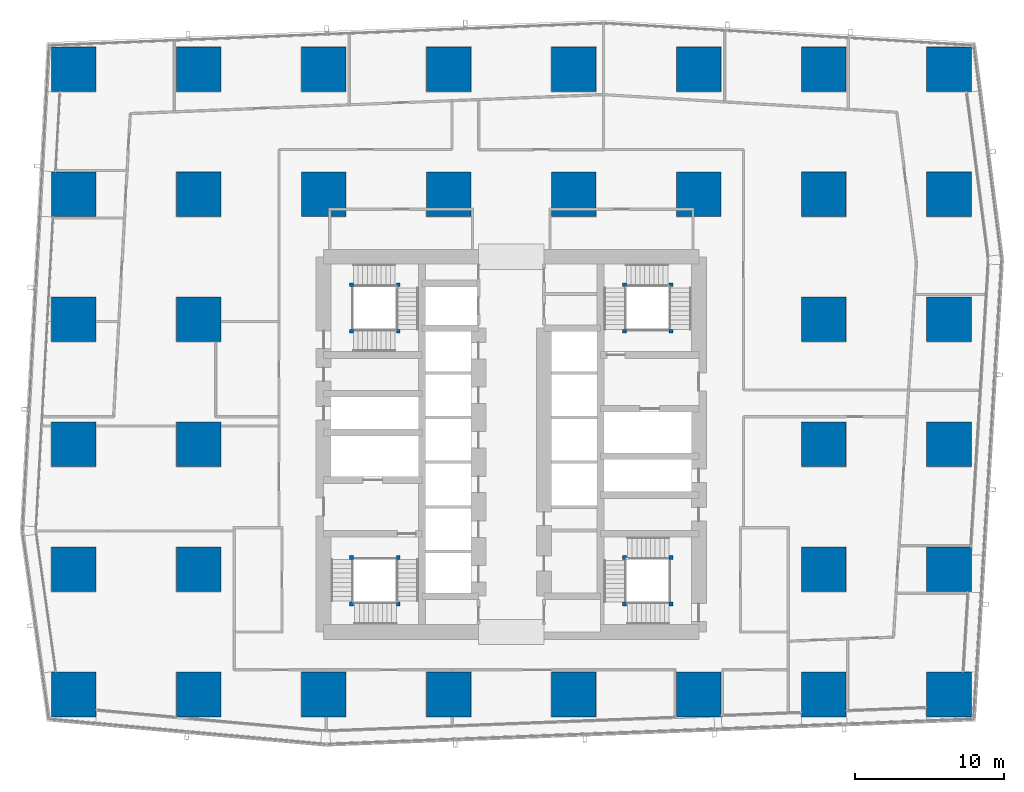
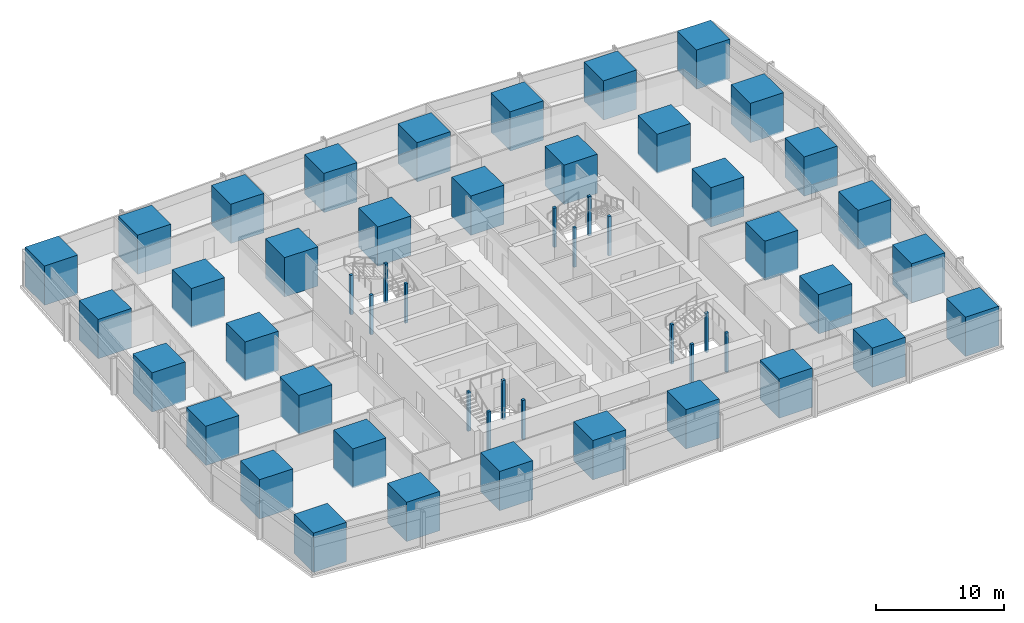
# One storey, part 1 of 39: 52 columns.
"""IFC4 building model written with IfcOpenShell, lengths in metres."""

from ifc_helpers import new_model, si_unit, direction, frame, origin, origin_2d, place, context, subcontext, project, spatial, rectangle, extrude, material, material_profile, profile_set, type_object, element, save


model = new_model("IFC4")

# Units and contexts
model_context = context("Model", 3, precision=1e-05, world=origin(), true_north=direction((0.0, 1.0)))
body_context = subcontext(model_context, "Body", "Model", "MODEL_VIEW")
ifc_project = project(units=[si_unit("LENGTHUNIT", "METRE"), si_unit("AREAUNIT", "SQUARE_METRE"), si_unit("VOLUMEUNIT", "CUBIC_METRE"), si_unit("PLANEANGLEUNIT", "RADIAN"), si_unit("MASSUNIT", "GRAM", prefix="KILO")], contexts=[model_context])

# Site, building, storey
site_placement = place(None, origin())
site = spatial("IfcSite", under=ifc_project, at=site_placement, CompositionType="ELEMENT")
building_placement = place(site_placement, origin())
building = spatial("IfcBuilding", under=site, at=building_placement, Name="Rekha Terrace Tower", CompositionType="ELEMENT")
storey_placement = place(building_placement, frame((0.0, 0.0, 155.300048828125)))
storey = spatial("IfcBuildingStorey", under=building, at=storey_placement, Name="L39", CompositionType="ELEMENT", Elevation=155.300048828125)

# Columns
ifc_material_1 = material(Name="Concrete M70", Category="concrete")
ifc_material_profile_1 = material_profile(ifc_material_1, rectangle(XDim=3.0, YDim=3.0, at=origin_2d()), Name="RC 3000x3000")
ifc_profile_set_1 = profile_set([ifc_material_profile_1], Name="Concrete M70")
column_type_1 = type_object("IfcColumnType", Name="C3T 3000x3000 column", PredefinedType="COLUMN", material=ifc_profile_set_1)
for number, where, z_axis, x_axis, name in (
    (1, (8.39990234375, 16.800048828125, 0.0), (0.0, 0.0, 1.0), (1.0, 0.0, 0.0), "Column C3T 2/C L39"),
    (2, (8.39990234375, 25.199951171875, 0.0), (0.0, 0.0, 1.0), (1.0, 0.0, 0.0), "Column C3T 2/D L39"),
    (3, (8.39990234375, 33.60009765625, 0.0), (0.0, 0.0, 1.0), (1.0, 0.0, 0.0), "Column C3T 2/E L39"),
    (4, (8.39990234375, 42.0, 0.0), (0.0, 0.0, 1.0), (1.0, 0.0, 0.0), "Column C3T 2/F L39"),
    (5, (8.39990234375, 50.39990234375, 0.0), (0.0, 0.0, 1.0), (1.0, 0.0, 0.0), "Column C3T 2/G L39"),
    (6, (8.39990234375, 58.800048828125, 0.0), (0.0, 0.0, 1.0), (1.0, 0.0, 0.0), "Column C3T 2/H L39"),
    (7, (16.800048828125, 16.800048828125, 0.0), (0.0, 0.0, 1.0), (1.0, 0.0, 0.0), "Column C3T 3/C L39"),
    (8, (16.800048828125, 25.199951171875, 0.0), (0.0, 0.0, 1.0), (1.0, 0.0, 0.0), "Column C3T 3/D L39"),
    (9, (16.800048828125, 33.60009765625, 0.0), (0.0, 0.0, 1.0), (1.0, 0.0, 0.0), "Column C3T 3/E L39"),
    (10, (16.800048828125, 42.0, 0.0), (0.0, 0.0, 1.0), (1.0, 0.0, 0.0), "Column C3T 3/F L39"),
    (11, (16.800048828125, 50.39990234375, 0.0), (0.0, 0.0, 1.0), (1.0, 0.0, 0.0), "Column C3T 3/G L39"),
    (12, (16.800048828125, 58.800048828125, 0.0), (0.0, 0.0, 1.0), (1.0, 0.0, 0.0), "Column C3T 3/H L39"),
    (13, (25.199951171875, 16.800048828125, 0.0), (0.0, 0.0, 1.0), (1.0, 0.0, 0.0), "Column C3T 4/C L39"),
    (14, (25.199951171875, 50.39990234375, 0.0), (0.0, 0.0, 1.0), (1.0, 0.0, 0.0), "Column C3T 4/G L39"),
    (15, (25.199951171875, 58.800048828125, 0.0), (0.0, 0.0, 1.0), (1.0, 0.0, 0.0), "Column C3T 4/H L39"),
    (16, (33.60009765625, 16.800048828125, 0.0), (0.0, 0.0, 1.0), (1.0, 0.0, 0.0), "Column C3T 5/C L39"),
    (17, (33.60009765625, 50.39990234375, 0.0), (0.0, 0.0, 1.0), (1.0, 0.0, 0.0), "Column C3T 5/G L39"),
    (18, (33.60009765625, 58.800048828125, 0.0), (0.0, 0.0, 1.0), (1.0, 0.0, 0.0), "Column C3T 5/H L39"),
    (19, (42.0, 16.800048828125, 0.0), (0.0, 0.0, 1.0), (1.0, 0.0, 0.0), "Column C3T 6/C L39"),
    (20, (42.0, 50.39990234375, 0.0), (0.0, 0.0, 1.0), (1.0, 0.0, 0.0), "Column C3T 6/G L39"),
    (21, (42.0, 58.800048828125, 0.0), (0.0, 0.0, 1.0), (1.0, 0.0, 0.0), "Column C3T 6/H L39"),
    (22, (50.39990234375, 16.800048828125, 0.0), (0.0, 0.0, 1.0), (1.0, 0.0, 0.0), "Column C3T 7/C L39"),
    (23, (50.39990234375, 50.39990234375, 0.0), (0.0, 0.0, 1.0), (1.0, 0.0, 0.0), "Column C3T 7/G L39"),
    (24, (50.39990234375, 58.800048828125, 0.0), (0.0, 0.0, 1.0), (1.0, 0.0, 0.0), "Column C3T 7/H L39"),
    (25, (58.800048828125, 16.800048828125, 0.0), (0.0, 0.0, 1.0), (1.0, 0.0, 0.0), "Column C3T 8/C L39"),
    (26, (58.800048828125, 25.199951171875, 0.0), (0.0, 0.0, 1.0), (1.0, 0.0, 0.0), "Column C3T 8/D L39"),
    (27, (58.800048828125, 33.60009765625, 0.0), (0.0, 0.0, 1.0), (1.0, 0.0, 0.0), "Column C3T 8/E L39"),
    (28, (58.800048828125, 42.0, 0.0), (0.0, 0.0, 1.0), (1.0, 0.0, 0.0), "Column C3T 8/F L39"),
    (29, (58.800048828125, 50.39990234375, 0.0), (0.0, 0.0, 1.0), (1.0, 0.0, 0.0), "Column C3T 8/G L39"),
    (30, (58.800048828125, 58.800048828125, 0.0), (0.0, 0.0, 1.0), (1.0, 0.0, 0.0), "Column C3T 8/H L39"),
    (31, (67.199951171875, 16.800048828125, 0.0), (0.0, 0.0, 1.0), (1.0, 0.0, 0.0), "Column C3T 9/C L39"),
    (32, (67.199951171875, 25.199951171875, 0.0), (0.0, 0.0, 1.0), (1.0, 0.0, 0.0), "Column C3T 9/D L39"),
    (33, (67.199951171875, 33.60009765625, 0.0), (0.0, 0.0, 1.0), (1.0, 0.0, 0.0), "Column C3T 9/E L39"),
    (34, (67.199951171875, 42.0, 0.0), (0.0, 0.0, 1.0), (1.0, 0.0, 0.0), "Column C3T 9/F L39"),
    (35, (67.199951171875, 50.39990234375, 0.0), (0.0, 0.0, 1.0), (1.0, 0.0, 0.0), "Column C3T 9/G L39"),
    (36, (67.199951171875, 58.800048828125, 0.0), (0.0, 0.0, 1.0), (1.0, 0.0, 0.0), "Column C3T 9/H L39"),
):
    element("IfcColumn", number, at=place(storey_placement, frame(where, z_axis=z_axis, x_axis=x_axis)), inside=storey, type_object=column_type_1, Name=name, PredefinedType="COLUMN", context=body_context, shape_type="SweptSolid", body=[
        extrude(rectangle(XDim=3.0, YDim=3.0, at=origin_2d()), origin(), (0.0, 0.0, 1.0), 3.75),
    ])
ifc_material_2 = material(Name="Concrete M60", Category="concrete")
ifc_material_profile_2 = material_profile(ifc_material_2, rectangle(XDim=0.25, YDim=0.25, at=origin_2d()), Name="RC 250x250")
ifc_profile_set_2 = profile_set([ifc_material_profile_2], Name="Concrete M60")
column_type_2 = type_object("IfcColumnType", Name="NP1 250x250 stair newel post", PredefinedType="COLUMN", material=ifc_profile_set_2)
for number, where, z_axis, x_axis, name in (
    (37, (30.199951171875, 26.0, 0.0), (0.0, 0.0, 1.0), (1.0, 0.0, 0.0), "Stair newel post NP1"),
    (38, (30.199951171875, 22.875, 0.0), (0.0, 0.0, 1.0), (1.0, 0.0, 0.0), "Stair newel post NP1"),
    (39, (27.074951171875, 22.875, 0.0), (0.0, 0.0, 1.0), (1.0, 0.0, 0.0), "Stair newel post NP1"),
    (40, (27.074951171875, 26.0, 0.0), (0.0, 0.0, 1.0), (1.0, 0.0, 0.0), "Stair newel post NP1"),
    (41, (45.39990234375, 41.199951171875, 0.0), (0.0, 0.0, 1.0), (1.0, 0.0, 0.0), "Stair newel post NP1"),
    (42, (45.39990234375, 44.324951171875, 0.0), (0.0, 0.0, 1.0), (1.0, 0.0, 0.0), "Stair newel post NP1"),
    (43, (48.52490234375, 44.324951171875, 0.0), (0.0, 0.0, 1.0), (1.0, 0.0, 0.0), "Stair newel post NP1"),
    (44, (48.52490234375, 41.199951171875, 0.0), (0.0, 0.0, 1.0), (1.0, 0.0, 0.0), "Stair newel post NP1"),
    (45, (48.52490234375, 22.875, 0.0), (0.0, 0.0, 1.0), (1.0, 0.0, 0.0), "Stair newel post NP1"),
    (46, (45.39990234375, 22.875, 0.0), (0.0, 0.0, 1.0), (1.0, 0.0, 0.0), "Stair newel post NP1"),
    (47, (45.39990234375, 26.0, 0.0), (0.0, 0.0, 1.0), (1.0, 0.0, 0.0), "Stair newel post NP1"),
    (48, (48.52490234375, 26.0, 0.0), (0.0, 0.0, 1.0), (1.0, 0.0, 0.0), "Stair newel post NP1"),
    (49, (27.074951171875, 41.199951171875, 0.0), (0.0, 0.0, 1.0), (1.0, 0.0, 0.0), "Stair newel post NP1"),
    (50, (30.199951171875, 41.199951171875, 0.0), (0.0, 0.0, 1.0), (1.0, 0.0, 0.0), "Stair newel post NP1"),
    (51, (30.199951171875, 44.324951171875, 0.0), (0.0, 0.0, 1.0), (1.0, 0.0, 0.0), "Stair newel post NP1"),
    (52, (27.074951171875, 44.324951171875, 0.0), (0.0, 0.0, 1.0), (1.0, 0.0, 0.0), "Stair newel post NP1"),
):
    element("IfcColumn", number, at=place(storey_placement, frame(where, z_axis=z_axis, x_axis=x_axis)), inside=storey, type_object=column_type_2, Name=name, PredefinedType="COLUMN", context=body_context, shape_type="SweptSolid", body=[
        extrude(rectangle(XDim=0.25, YDim=0.25, at=origin_2d()), origin(), (0.0, 0.0, 1.0), 3.75),
    ])

save(model, "model.ifc")
